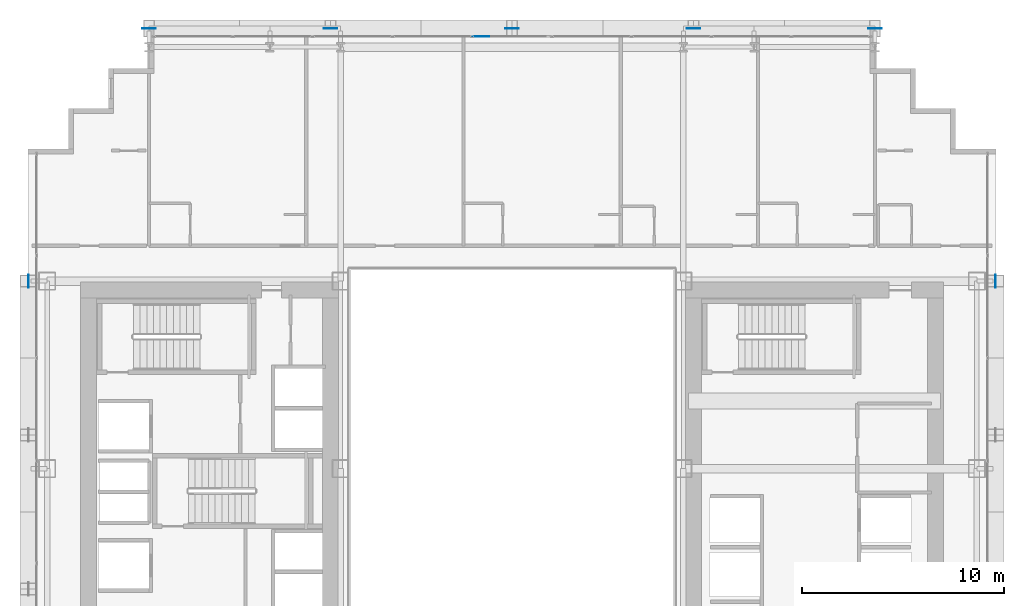
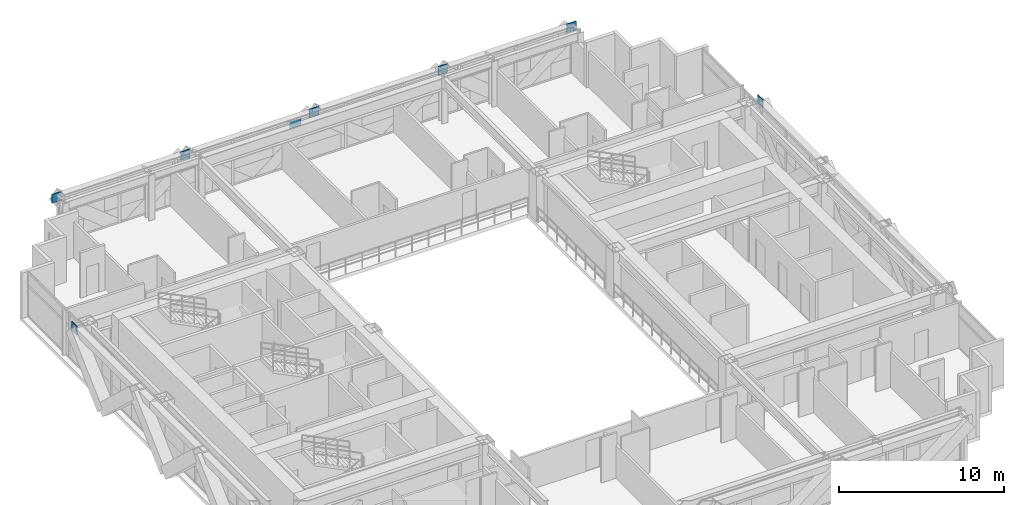
# One storey, part 29 of 38: 8 plates, 1 element without a shape of its own.
"""IFC4 building model written with IfcOpenShell, lengths in metres."""

from ifc_helpers import new_model, si_unit, direction, frame, origin, origin_2d, place, context, subcontext, project, spatial, rectangle, extrude, source, transform, mapped, material, layer, layer_set, type_object, element, aggregate, save


model = new_model("IFC4")

# Units and contexts
model_context = context("Model", 3, precision=1e-05, world=origin(), true_north=direction((0.0, 1.0)))
body_context = subcontext(model_context, "Body", "Model", "MODEL_VIEW")
ifc_project = project(units=[si_unit("LENGTHUNIT", "METRE"), si_unit("AREAUNIT", "SQUARE_METRE"), si_unit("VOLUMEUNIT", "CUBIC_METRE"), si_unit("PLANEANGLEUNIT", "RADIAN"), si_unit("MASSUNIT", "GRAM", prefix="KILO")], contexts=[model_context])

# Site, building, storey
site_placement = place(None, origin())
site = spatial("IfcSite", under=ifc_project, at=site_placement, CompositionType="ELEMENT")
building_placement = place(site_placement, origin())
building = spatial("IfcBuilding", under=site, at=building_placement, Name="Ocotamira Hotel", CompositionType="ELEMENT")
storey_placement = place(building_placement, frame((0.0, 0.0, 60.0)))
storey = spatial("IfcBuildingStorey", under=building, at=storey_placement, Name="L14", CompositionType="ELEMENT", Elevation=60.0)

# Plates
ifc_material_1 = material(Name="Pale-metal coated steel ASTM A572 Grade 50", Category="steel")
ifc_layer_1 = layer(ifc_material_1, 0.0400390625)
ifc_layer_set_1 = layer_set([ifc_layer_1], Name="Pale-metal coated steel ASTM A572 Grade 50")
plate_type_1 = type_object("IfcPlateType", Name="PLT-GUSSET-40", PredefinedType="SHEET", material=ifc_layer_set_1)
shared_shape_1 = source(origin(), body_context, "Body", "SweptSolid", [
    extrude(rectangle(XDim=0.64990234375, YDim=0.0400390625, at=origin_2d()), origin(), (0.0, 0.0, 1.0), 0.64990234375),
])
for number, where, z_axis, x_axis, name in (
    (1, (14.0, 49.969970703125, 2.775146484375), (0.0, 0.0, 1.0), (-1.0, 0.0, 0.0), "L14 Exoskeleton Diagrid N0.1 End Gusset B"),
    (2, (23.0, 49.969970703125, 2.775146484375), (0.0, 0.0, 1.0), (1.0, 0.0, 0.0), "L14 Exoskeleton Diagrid N0.2 End Gusset B"),
    (3, (32.0, 49.969970703125, 2.775146484375), (0.0, 0.0, 1.0), (1.0, 0.0, 0.0), "L14 Exoskeleton Diagrid N1.2 End Gusset B"),
    (4, (41.0, 49.969970703125, 2.775146484375), (0.0, 0.0, 1.0), (1.0, 0.0, 0.0), "L14 Exoskeleton Diagrid N2.2 End Gusset B"),
    (5, (50.0, 49.969970703125, 2.775146484375), (0.0, 0.0, 1.0), (1.0, 0.0, 0.0), "L14 Exoskeleton Diagrid N3.2 End Gusset B"),
):
    element("IfcPlate", number, at=place(storey_placement, frame(where, z_axis=z_axis, x_axis=x_axis)), inside=storey, type_object=plate_type_1, Name=name, PredefinedType="SHEET", context=body_context, shape_type="MappedRepresentation", body=[
        mapped(shared_shape_1, transform((0.0, 0.0, 0.0), scale=1.0)),
    ])
shared_shape_2 = source(origin(), body_context, "Body", "SweptSolid", [
    extrude(rectangle(XDim=0.0400390625, YDim=0.64990234375, at=origin_2d()), origin(), (0.0, 0.0, 1.0), 0.64990234375),
])
for number, where, z_axis, x_axis, name in (
    (6, (8.030029296875, 37.449951171875, 2.775146484375), (0.0, 0.0, 1.0), (1.0, 0.0, 0.0), "L14 Exoskeleton Diagrid W2.2 End Gusset B"),
    (7, (55.969970703125, 37.449951171875, 2.775146484375), (0.0, 0.0, 1.0), (1.0, 0.0, 0.0), "L14 Exoskeleton Diagrid E2.2 End Gusset B"),
):
    element("IfcPlate", number, at=place(storey_placement, frame(where, z_axis=z_axis, x_axis=x_axis)), inside=storey, type_object=plate_type_1, Name=name, PredefinedType="SHEET", context=body_context, shape_type="MappedRepresentation", body=[
        mapped(shared_shape_2, transform((0.0, 0.0, 0.0), scale=1.0)),
    ])

# Curtain wall, plate
ifc_material_2 = material(Name="Anodised pale-metal aluminium and solar glass", Category="aluminium")
ifc_layer_2 = layer(ifc_material_2, 0.179931640625)
ifc_layer_set_2 = layer_set([ifc_layer_2], Name="Anodised pale-metal aluminium and solar glass")
curtain_wall_type = type_object("IfcCurtainWallType", Name="CW-SYS2-Z1", PredefinedType="NOTDEFINED", material=ifc_layer_set_2)
curtain_wall_placement = place(storey_placement, origin())
curtain_wall = element("IfcCurtainWall", 8, at=curtain_wall_placement, inside=storey, type_object=curtain_wall_type, Name="L14 Curtain Wall CW-2 CW-L14-N", PredefinedType="NOTDEFINED")
ifc_material_3 = material(Name="Double-silver low-E insulated solar glass", Category="glass")
ifc_layer_3 = layer(ifc_material_3, 0.031982421875)
ifc_layer_set_3 = layer_set([ifc_layer_3], Name="Double-silver low-E insulated solar glass")
plate_type_2 = type_object("IfcPlateType", Name="CWP-VISION-32", PredefinedType="CURTAIN_PANEL", material=ifc_layer_set_3)
shared_shape_3 = source(origin(), body_context, "Body", "SweptSolid", [
    extrude(rectangle(XDim=0.797607421875, YDim=0.031982421875, at=origin_2d()), origin(), (0.0, 0.0, 1.0), 0.5107421875),
])
plate_placement = place(storey_placement, frame((30.461181640625, 49.580078125, 2.76416015625), z_axis=(0.0, 0.0, 1.0), x_axis=(1.0, 0.0, 0.0)))
plate = element("IfcPlate", 9, at=plate_placement, type_object=plate_type_2, Name="CW-2 panel 5.2.1", PredefinedType="CURTAIN_PANEL", context=body_context, shape_type="MappedRepresentation", body=[
    mapped(shared_shape_3, transform((0.0, 0.0, 0.0), scale=1.0)),
])
aggregate(curtain_wall, [plate])

save(model, "model.ifc")
